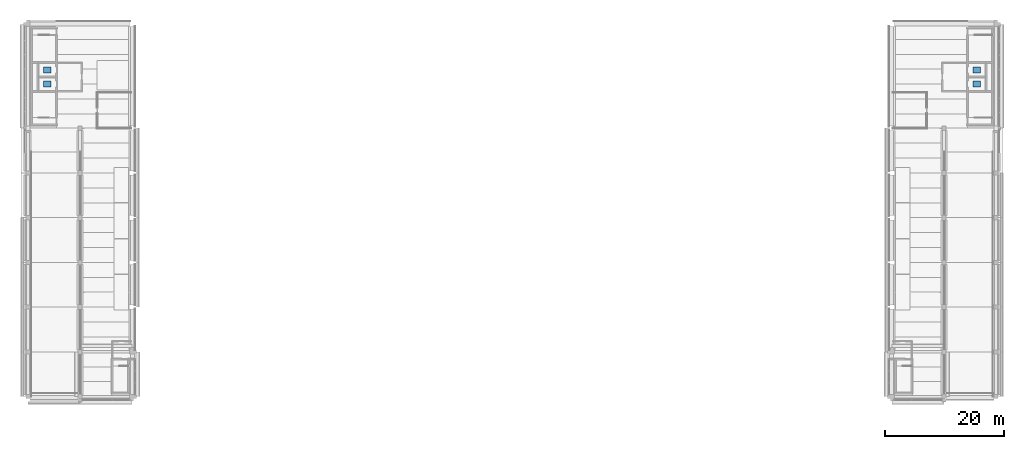
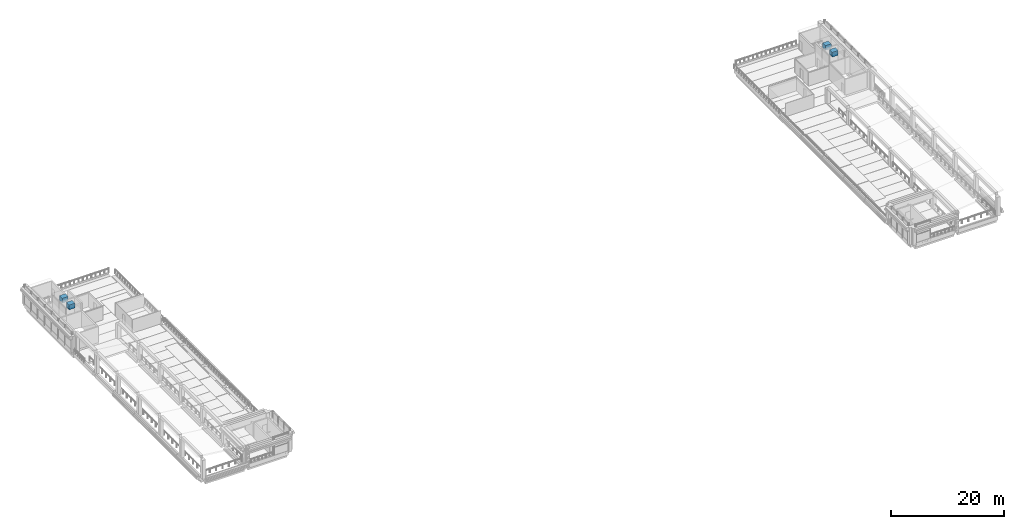
# One storey, part 11 of 17: 4 discrete accessories.
"""IFC4 building model written with IfcOpenShell, lengths in metres."""

from ifc_helpers import new_model, si_unit, direction, frame, origin, origin_2d, place, context, subcontext, project, spatial, rectangle, extrude, material, type_object, element, save


model = new_model("IFC4")

# Units and contexts
model_context = context("Model", 3, precision=1e-05, world=origin(), true_north=direction((0.0, 1.0)))
body_context = subcontext(model_context, "Body", "Model", "MODEL_VIEW")
ifc_project = project(units=[si_unit("LENGTHUNIT", "METRE"), si_unit("AREAUNIT", "SQUARE_METRE"), si_unit("VOLUMEUNIT", "CUBIC_METRE"), si_unit("PLANEANGLEUNIT", "RADIAN"), si_unit("MASSUNIT", "GRAM", prefix="KILO")], contexts=[model_context])

# Site, building, storey
site_placement = place(None, origin())
site = spatial("IfcSite", under=ifc_project, at=site_placement, CompositionType="ELEMENT")
building_placement = place(site_placement, origin())
building = spatial("IfcBuilding", under=site, at=building_placement, Name="Cour d'Honneur Mobility Palace", CompositionType="ELEMENT")
storey_placement = place(building_placement, frame((0.0, 0.0, 34.10009765625)))
storey = spatial("IfcBuildingStorey", under=building, at=storey_placement, Name="L09", CompositionType="ELEMENT", Elevation=34.10009765625)

# Discrete accessories
ifc_material = material(Name="Steel S355", Category="steel")
discrete_accessory_type = type_object("IfcDiscreteAccessoryType", Name="Lift machine", PredefinedType="USERDEFINED", material=ifc_material)
for number, where, z_axis, x_axis, name in (
    (1, (3.22509765625, 52.39990234375, 3.949951171875), (0.0, 0.0, 1.0), (1.0, 0.0, 0.0), "Lift machine LF-CW1"),
    (2, (3.22509765625, 54.800048828125, 3.949951171875), (0.0, 0.0, 1.0), (1.0, 0.0, 0.0), "Lift machine LF-CW2"),
    (3, (159.074951171875, 52.39990234375, 3.949951171875), (0.0, 0.0, 1.0), (1.0, 0.0, 0.0), "Lift machine LF-CE1"),
    (4, (159.074951171875, 54.800048828125, 3.949951171875), (0.0, 0.0, 1.0), (1.0, 0.0, 0.0), "Lift machine LF-CE2"),
):
    element("IfcDiscreteAccessory", number, at=place(storey_placement, frame(where, z_axis=z_axis, x_axis=x_axis)), inside=storey, type_object=discrete_accessory_type, Name=name, ObjectType="LIFT MACHINE", PredefinedType="USERDEFINED", context=body_context, shape_type="SweptSolid", body=[
        extrude(rectangle(XDim=1.199951171875, YDim=1.0, at=origin_2d()), origin(), (0.0, 0.0, 1.0), 1.0),
    ])

save(model, "model.ifc")
